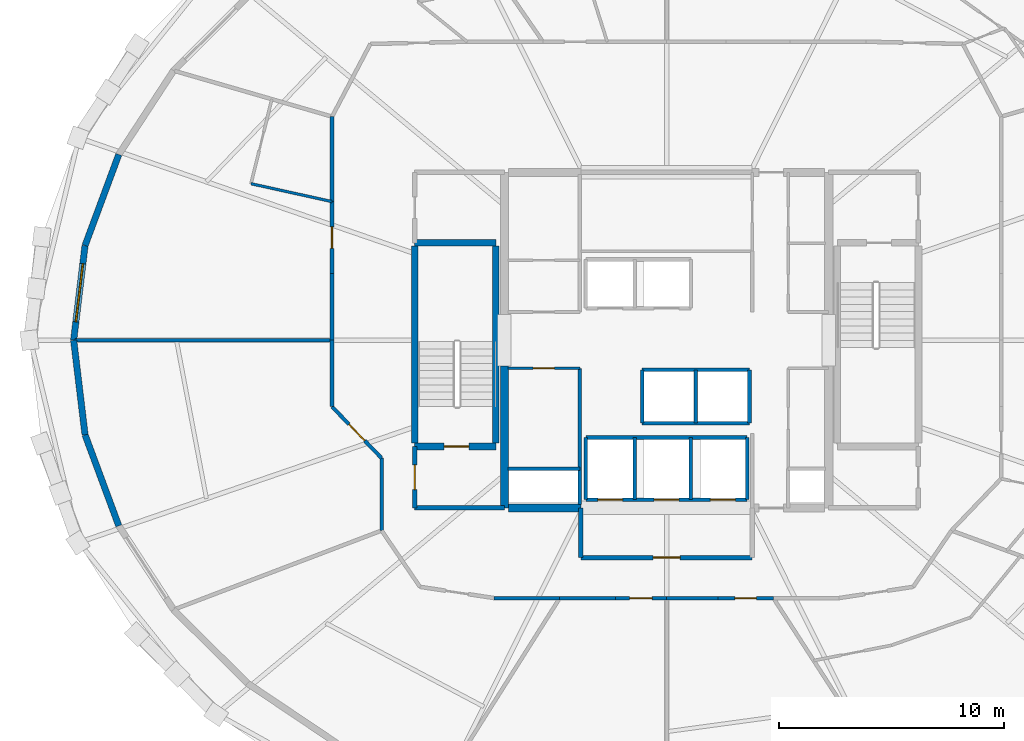
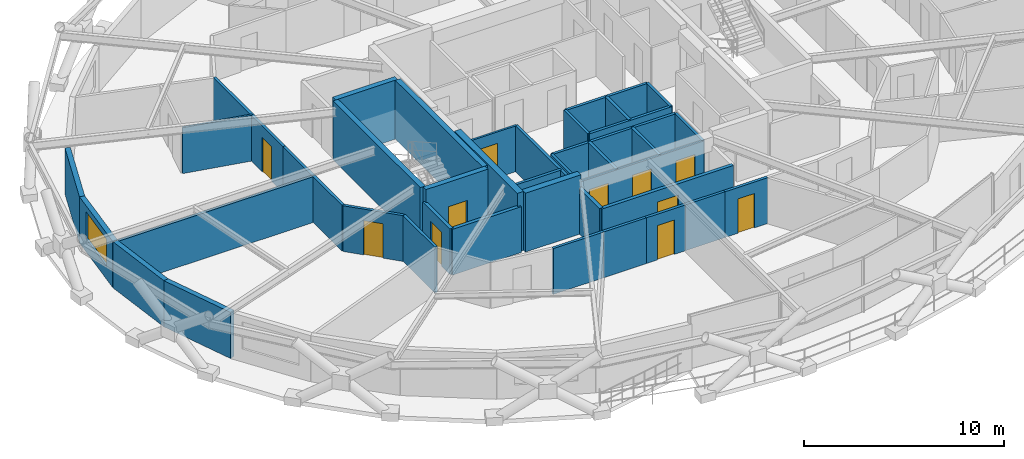
# One storey, part 15 of 20: 41 walls, 11 doors, 1 window, 12 openings.
"""IFC4 building model written with IfcOpenShell, lengths in metres."""

from ifc_helpers import new_model, si_unit, direction, frame, frame_2d, origin, place, context, subcontext, project, spatial, rectangle, extrude, material, layer, layer_set, type_object, element, fill, save


model = new_model("IFC4")

# Units and contexts
model_context = context("Model", 3, precision=1e-05, world=origin(), true_north=direction((0.0, 1.0)))
body_context = subcontext(model_context, "Body", "Model", "MODEL_VIEW")
ifc_project = project(units=[si_unit("LENGTHUNIT", "METRE"), si_unit("AREAUNIT", "SQUARE_METRE"), si_unit("VOLUMEUNIT", "CUBIC_METRE"), si_unit("PLANEANGLEUNIT", "RADIAN"), si_unit("MASSUNIT", "GRAM", prefix="KILO")], contexts=[model_context])

# Site, building, storey
site_placement = place(None, origin())
site = spatial("IfcSite", under=ifc_project, at=site_placement, CompositionType="ELEMENT")
building_placement = place(site_placement, origin())
building = spatial("IfcBuilding", under=site, at=building_placement, Name="Veldorina Hangang Commons", CompositionType="ELEMENT")
storey_placement = place(building_placement, frame((0.0, 0.0, 153.199951171875)))
storey = spatial("IfcBuildingStorey", under=building, at=storey_placement, Name="L39", CompositionType="ELEMENT", Elevation=153.199951171875)

# Walls
ifc_material_1 = material(Name="Concrete C60/75", Category="concrete")
ifc_layer_1 = layer(ifc_material_1, 0.360107421875)
ifc_layer_set_1 = layer_set([ifc_layer_1], Name="Concrete C60/75")
wall_type_1 = type_object("IfcWallType", Name="CW-RC360-C60", PredefinedType="SHEAR", material=ifc_layer_set_1)
wall_1_placement = place(storey_placement, frame((24.800048828125, 16.550048828125, 0.0), z_axis=(0.0, 0.0, 1.0), x_axis=(0.0, 1.0, 0.0)))
element("IfcWall", 1, at=wall_1_placement, inside=storey, type_object=wall_type_1, Name="L39 W south core shear wall", PredefinedType="SHEAR", context=body_context, shape_type="SweptSolid", body=[
    extrude(rectangle(XDim=6.300048828125, YDim=0.360107421875, at=frame_2d((3.14990234375, 0.0))), origin(), (0.0, 0.0, 1.0), 3.60009765625),
])
wall_2_placement = place(storey_placement, frame((24.97998046875, 16.550048828125, 0.0), z_axis=(0.0, 0.0, 1.0), x_axis=(1.0, 0.0, 0.0)))
element("IfcWall", 2, at=wall_2_placement, inside=storey, type_object=wall_type_1, Name="L39 south-west core shear wall", PredefinedType="SHEAR", context=body_context, shape_type="SweptSolid", body=[
    extrude(rectangle(XDim=3.219970703125, YDim=0.360107421875, at=frame_2d((1.60986328125, 0.0))), origin(), (0.0, 0.0, 1.0), 3.60009765625),
])
ifc_material_2 = material(Name="Stone Roman Travertine", Category="masonry")
ifc_layer_2 = layer(ifc_material_2, 0.280029296875)
ifc_layer_set_2 = layer_set([ifc_layer_2], Name="Stone Roman Travertine")
wall_type_2 = type_object("IfcWallType", Name="EW-TRAV-280", PredefinedType="STANDARD", material=ifc_layer_set_2)
wall_3_placement = place(storey_placement, frame((7.682861328125, 32.24169921875, 0.0), z_axis=(0.0, 0.0, 1.0), x_axis=(-0.347600366377, -0.937642781284, 0.0)))
element("IfcWall", 3, at=wall_3_placement, inside=storey, type_object=wall_type_2, Name="L39 travertine facade wall 14", PredefinedType="STANDARD", context=body_context, shape_type="SweptSolid", body=[
    extrude(rectangle(XDim=4.30908203125, YDim=0.280029296875, at=frame_2d((2.154541015625, 0.0))), origin(), (0.0, 0.0, 1.0), 2.820068359375),
])

# Wall, opening, window
wall_4_placement = place(storey_placement, frame((6.18505859375, 28.201416015625, 0.0), z_axis=(0.0, 0.0, 1.0), x_axis=(-0.119481907098, -0.992836378199, 0.0)))
wall_4 = element("IfcWall", 4, at=wall_4_placement, inside=storey, type_object=wall_type_2, Name="L39 travertine facade wall 15", PredefinedType="STANDARD", context=body_context, shape_type="SweptSolid", body=[
    extrude(rectangle(XDim=4.231689453125, YDim=0.280029296875, at=frame_2d((2.11572265625, 0.0))), origin(), (0.0, 0.0, 1.0), 2.820068359375),
])
opening_1_placement = place(wall_4_placement, frame((0.81591796875, 0.0, 0.800048828125)))
opening_1 = element("IfcOpeningElement", 5, at=opening_1_placement, cuts=wall_4, Name="Opening W-02", PredefinedType="OPENING", context=body_context, shape_type="SweptSolid", body=[
    extrude(rectangle(XDim=2.60009765625, YDim=1.64990234375, at=frame_2d((1.300048828125, 0.824951171875))), frame((0.0, 0.14990234375, 0.0), z_axis=(0.0, -1.0, 0.0), x_axis=(1.0, 0.0, 0.0)), (0.0, 0.0, 1.0), 0.300048828125),
])
ifc_material_3 = material(Name="Glass Low-E Triple IGU", Category="glass")
window_type = type_object("IfcWindowType", Name="WIN-TWR-2600", PartitioningType="SINGLE_PANEL", PredefinedType="WINDOW", material=ifc_material_3)
window_placement = place(opening_1_placement, origin())
window = element("IfcWindow", 6, at=window_placement, inside=storey, type_object=window_type, Name="L39 facade window 15", OverallHeight=1.64990234375, OverallWidth=2.60009765625, PartitioningType="SINGLE_PANEL", PredefinedType="WINDOW", context=body_context, shape_type="SweptSolid", body=[
    extrude(rectangle(XDim=2.60009765625, YDim=1.64990234375, at=frame_2d((1.300048828125, 0.824951171875))), frame((0.0, 0.030029296875, 0.0), z_axis=(0.0, -1.0, 0.0), x_axis=(1.0, 0.0, 0.0)), (0.0, 0.0, 1.0), 0.06005859375),
])
fill(opening_1, window)

# Walls
wall_5_placement = place(storey_placement, frame((5.679443359375, 24.0, 0.0), z_axis=(0.0, 0.0, 1.0), x_axis=(0.119481907098, -0.992836378199, 0.0)))
element("IfcWall", 7, at=wall_5_placement, inside=storey, type_object=wall_type_2, Name="L39 travertine facade wall 16", PredefinedType="STANDARD", context=body_context, shape_type="SweptSolid", body=[
    extrude(rectangle(XDim=4.231689453125, YDim=0.280029296875, at=frame_2d((2.11572265625, 0.0))), origin(), (0.0, 0.0, 1.0), 2.820068359375),
])
wall_6_placement = place(storey_placement, frame((6.18505859375, 19.798583984375, 0.0), z_axis=(0.0, 0.0, 1.0), x_axis=(0.347600366377, -0.937642781284, 0.0)))
element("IfcWall", 8, at=wall_6_placement, inside=storey, type_object=wall_type_2, Name="L39 travertine facade wall 17", PredefinedType="STANDARD", context=body_context, shape_type="SweptSolid", body=[
    extrude(rectangle(XDim=4.30908203125, YDim=0.280029296875, at=frame_2d((2.154541015625, 0.0))), origin(), (0.0, 0.0, 1.0), 2.820068359375),
])
ifc_material_4 = material(Name="Concrete C50/60", Category="concrete")
ifc_layer_3 = layer(ifc_material_4, 0.300048828125)
ifc_layer_set_3 = layer_set([ifc_layer_3], Name="Concrete C50/60")
wall_type_3 = type_object("IfcWallType", Name="SW-STAIR-300", PredefinedType="SHEAR", material=ifc_layer_set_3)
for number, where, z_axis, x_axis, name in (
    (9, (20.820068359375, 19.429931640625, 0.0), (0.0, 0.0, 1.0), (0.0, 1.0, 0.0), "L39 ST1 outer stair shear wall"),
    (10, (24.419921875, 19.429931640625, 0.0), (0.0, 0.0, 1.0), (0.0, 1.0, 0.0), "L39 ST1 inner stair shear wall"),
):
    element("IfcWall", number, at=place(storey_placement, frame(where, z_axis=z_axis, x_axis=x_axis)), inside=storey, type_object=wall_type_3, Name=name, PredefinedType="SHEAR", context=body_context, shape_type="SweptSolid", body=[
        extrude(rectangle(XDim=8.739990234375, YDim=0.300048828125, at=frame_2d((4.3701171875, 0.0))), origin(), (0.0, 0.0, 1.0), 3.60009765625),
    ])

# Wall, opening, door
wall_7_placement = place(storey_placement, frame((20.820068359375, 19.280029296875, 0.0), z_axis=(0.0, 0.0, 1.0), x_axis=(1.0, 0.0, 0.0)))
wall_7 = element("IfcWall", 11, at=wall_7_placement, inside=storey, type_object=wall_type_3, Name="L39 ST1 south stair shear wall", PredefinedType="SHEAR", context=body_context, shape_type="SweptSolid", body=[
    extrude(rectangle(XDim=3.599853515625, YDim=0.300048828125, at=frame_2d((1.7998046875, 0.0))), origin(), (0.0, 0.0, 1.0), 3.60009765625),
])
opening_2_placement = place(wall_7_placement, frame((1.300048828125, 0.0, 0.0)))
opening_2 = element("IfcOpeningElement", 12, at=opening_2_placement, cuts=wall_7, Name="Opening D-08", PredefinedType="OPENING", context=body_context, shape_type="SweptSolid", body=[
    extrude(rectangle(XDim=1.10009765625, YDim=2.10009765625, at=frame_2d((0.550048828125, 1.050048828125))), frame((0.0, 0.16015625, 0.0), z_axis=(0.0, -1.0, 0.0), x_axis=(1.0, 0.0, 0.0)), (0.0, 0.0, 1.0), 0.320068359375),
])
ifc_material_5 = material(Name="Steel Fire-Rated Smoke Seal", Category="steel")
door_type_1 = type_object("IfcDoorType", Name="DR-FIRE-1100", OperationType="SINGLE_SWING_RIGHT", PredefinedType="DOOR", material=ifc_material_5)
door_1_placement = place(opening_2_placement, origin())
door_1 = element("IfcDoor", 13, at=door_1_placement, inside=storey, type_object=door_type_1, Name="L39 Special Escape Stair ST-1 door", OperationType="SINGLE_SWING_LEFT", OverallHeight=2.10009765625, OverallWidth=1.10009765625, PredefinedType="DOOR", context=body_context, shape_type="SweptSolid", body=[
    extrude(rectangle(XDim=1.10009765625, YDim=2.10009765625, at=frame_2d((0.550048828125, 1.050048828125))), frame((0.0, 0.02490234375, 0.0), z_axis=(0.0, -1.0, 0.0), x_axis=(1.0, 0.0, 0.0)), (0.0, 0.0, 1.0), 0.050048828125),
])
fill(opening_2, door_1)

# Walls
wall_8_placement = place(storey_placement, frame((20.820068359375, 28.320068359375, 0.0), z_axis=(0.0, 0.0, 1.0), x_axis=(1.0, 0.0, 0.0)))
element("IfcWall", 14, at=wall_8_placement, inside=storey, type_object=wall_type_3, Name="L39 ST1 north stair shear wall", PredefinedType="SHEAR", context=body_context, shape_type="SweptSolid", body=[
    extrude(rectangle(XDim=3.599853515625, YDim=0.300048828125, at=frame_2d((1.7998046875, 0.0))), origin(), (0.0, 0.0, 1.0), 3.60009765625),
])
ifc_material_6 = material(Name="Gypsum Fire-Rated Twin Stud Wall", Category="gypsum")
ifc_layer_4 = layer(ifc_material_6, 0.159912109375)
ifc_layer_set_4 = layer_set([ifc_layer_4], Name="Gypsum Fire-Rated Twin Stud Wall")
wall_type_4 = type_object("IfcWallType", Name="WL-FIRE-160", PredefinedType="SOLIDWALL", material=ifc_layer_set_4)
for number, where, z_axis, x_axis, name in (
    (15, (30.919921875, 22.679931640625, 0.0), (0.0, 0.0, 1.0), (1.0, 0.0, 0.0), "L39 Shuttle-high front shaft wall 020"),
    (16, (30.919921875, 20.320068359375, 0.0), (0.0, 0.0, 1.0), (1.0, 0.0, 0.0), "L39 Shuttle-high rear shaft wall 021"),
):
    element("IfcWall", number, at=place(storey_placement, frame(where, z_axis=z_axis, x_axis=x_axis)), inside=storey, type_object=wall_type_4, Name=name, PredefinedType="SOLIDWALL", context=body_context, shape_type="SweptSolid", body=[
        extrude(rectangle(XDim=4.760009765625, YDim=0.159912109375, at=frame_2d((2.3798828125, 0.0))), origin(), (0.0, 0.0, 1.0), 2.800048828125),
    ])
for number, where, z_axis, x_axis, name in (
    (17, (30.919921875, 20.320068359375, 0.0), (0.0, 0.0, 1.0), (0.0, 1.0, 0.0), "L39 SL-1 west shaft wall 022"),
    (18, (33.300048828125, 20.320068359375, 0.0), (0.0, 0.0, 1.0), (0.0, 1.0, 0.0), "L39 SL-1 east shaft wall 023"),
    (19, (35.679931640625, 20.320068359375, 0.0), (0.0, 0.0, 1.0), (0.0, 1.0, 0.0), "L39 SL-2 east shaft wall 024"),
):
    element("IfcWall", number, at=place(storey_placement, frame(where, z_axis=z_axis, x_axis=x_axis)), inside=storey, type_object=wall_type_4, Name=name, PredefinedType="SOLIDWALL", context=body_context, shape_type="SweptSolid", body=[
        extrude(rectangle(XDim=2.35986328125, YDim=0.159912109375, at=frame_2d((1.179931640625, 0.0))), origin(), (0.0, 0.0, 1.0), 2.800048828125),
    ])

# Wall, openings, doors
wall_9_placement = place(storey_placement, frame((28.419921875, 16.919921875, 0.0), z_axis=(0.0, 0.0, 1.0), x_axis=(1.0, 0.0, 0.0)))
wall_9 = element("IfcWall", 20, at=wall_9_placement, inside=storey, type_object=wall_type_4, Name="L39 Emergency front shaft wall 025", PredefinedType="SOLIDWALL", context=body_context, shape_type="SweptSolid", body=[
    extrude(rectangle(XDim=7.16015625, YDim=0.159912109375, at=frame_2d((3.580078125, 0.0))), origin(), (0.0, 0.0, 1.0), 2.800048828125),
])
opening_3_placement = place(wall_9_placement, frame((0.530029296875, 0.0, 0.0)))
opening_3 = element("IfcOpeningElement", 21, at=opening_3_placement, cuts=wall_9, Name="Opening LD-03", PredefinedType="OPENING", context=body_context, shape_type="SweptSolid", body=[
    extrude(rectangle(XDim=1.10009765625, YDim=2.14990234375, at=frame_2d((0.550048828125, 1.074951171875))), frame((0.0, 0.08984375, 0.0), z_axis=(0.0, -1.0, 0.0), x_axis=(1.0, 0.0, 0.0)), (0.0, 0.0, 1.0), 0.179931640625),
])
opening_4_placement = place(wall_9_placement, frame((3.030029296875, 0.0, 0.0)))
opening_4 = element("IfcOpeningElement", 22, at=opening_4_placement, cuts=wall_9, Name="Opening LD-03", PredefinedType="OPENING", context=body_context, shape_type="SweptSolid", body=[
    extrude(rectangle(XDim=1.10009765625, YDim=2.14990234375, at=frame_2d((0.550048828125, 1.074951171875))), frame((0.0, 0.08984375, 0.0), z_axis=(0.0, -1.0, 0.0), x_axis=(1.0, 0.0, 0.0)), (0.0, 0.0, 1.0), 0.179931640625),
])
opening_5_placement = place(wall_9_placement, frame((5.530029296875, 0.0, 0.0)))
opening_5 = element("IfcOpeningElement", 23, at=opening_5_placement, cuts=wall_9, Name="Opening LD-03", PredefinedType="OPENING", context=body_context, shape_type="SweptSolid", body=[
    extrude(rectangle(XDim=1.10009765625, YDim=2.14990234375, at=frame_2d((0.550048828125, 1.074951171875))), frame((0.0, 0.08984375, 0.0), z_axis=(0.0, -1.0, 0.0), x_axis=(1.0, 0.0, 0.0)), (0.0, 0.0, 1.0), 0.179931640625),
])
ifc_material_7 = material(Name="Stainless Steel Firefighting Lift Door", Category="steel")
door_type_2 = type_object("IfcDoorType", Name="DR-LIFT-FF1100", OperationType="SLIDING_TO_RIGHT", PredefinedType="DOOR", material=ifc_material_7)
door_2_placement = place(opening_3_placement, origin())
door_2 = element("IfcDoor", 24, at=door_2_placement, inside=storey, type_object=door_type_2, Name="L39 Emergency lift FFL-1 landing door 008", OperationType="SLIDING_TO_RIGHT", OverallHeight=2.14990234375, OverallWidth=1.10009765625, PredefinedType="DOOR", context=body_context, shape_type="SweptSolid", body=[
    extrude(rectangle(XDim=1.10009765625, YDim=2.14990234375, at=frame_2d((0.550048828125, 1.074951171875))), frame((0.0, 0.02490234375, 0.0), z_axis=(0.0, -1.0, 0.0), x_axis=(1.0, 0.0, 0.0)), (0.0, 0.0, 1.0), 0.050048828125),
])
fill(opening_3, door_2)
door_3_placement = place(opening_4_placement, origin())
door_3 = element("IfcDoor", 25, at=door_3_placement, inside=storey, type_object=door_type_2, Name="L39 Emergency lift FFL-2 landing door 009", OperationType="SLIDING_TO_RIGHT", OverallHeight=2.14990234375, OverallWidth=1.10009765625, PredefinedType="DOOR", context=body_context, shape_type="SweptSolid", body=[
    extrude(rectangle(XDim=1.10009765625, YDim=2.14990234375, at=frame_2d((0.550048828125, 1.074951171875))), frame((0.0, 0.02490234375, 0.0), z_axis=(0.0, -1.0, 0.0), x_axis=(1.0, 0.0, 0.0)), (0.0, 0.0, 1.0), 0.050048828125),
])
fill(opening_4, door_3)
door_4_placement = place(opening_5_placement, origin())
door_4 = element("IfcDoor", 26, at=door_4_placement, inside=storey, type_object=door_type_2, Name="L39 Emergency lift EVL-1 landing door 010", OperationType="SLIDING_TO_RIGHT", OverallHeight=2.14990234375, OverallWidth=1.10009765625, PredefinedType="DOOR", context=body_context, shape_type="SweptSolid", body=[
    extrude(rectangle(XDim=1.10009765625, YDim=2.14990234375, at=frame_2d((0.550048828125, 1.074951171875))), frame((0.0, 0.02490234375, 0.0), z_axis=(0.0, -1.0, 0.0), x_axis=(1.0, 0.0, 0.0)), (0.0, 0.0, 1.0), 0.050048828125),
])
fill(opening_5, door_4)

# Walls
wall_10_placement = place(storey_placement, frame((28.419921875, 19.679931640625, 0.0), z_axis=(0.0, 0.0, 1.0), x_axis=(1.0, 0.0, 0.0)))
element("IfcWall", 27, at=wall_10_placement, inside=storey, type_object=wall_type_4, Name="L39 Emergency rear shaft wall 026", PredefinedType="SOLIDWALL", context=body_context, shape_type="SweptSolid", body=[
    extrude(rectangle(XDim=7.16015625, YDim=0.159912109375, at=frame_2d((3.580078125, 0.0))), origin(), (0.0, 0.0, 1.0), 2.800048828125),
])
for number, where, z_axis, x_axis, name in (
    (28, (28.419921875, 16.919921875, 0.0), (0.0, 0.0, 1.0), (0.0, 1.0, 0.0), "L39 FFL-1 west shaft wall 027"),
    (29, (30.580078125, 16.919921875, 0.0), (0.0, 0.0, 1.0), (0.0, 1.0, 0.0), "L39 FFL-1 east shaft wall 028"),
    (30, (33.080078125, 16.919921875, 0.0), (0.0, 0.0, 1.0), (0.0, 1.0, 0.0), "L39 FFL-2 east shaft wall 029"),
    (31, (35.580078125, 16.919921875, 0.0), (0.0, 0.0, 1.0), (0.0, 1.0, 0.0), "L39 EVL-1 east shaft wall 030"),
):
    element("IfcWall", number, at=place(storey_placement, frame(where, z_axis=z_axis, x_axis=x_axis)), inside=storey, type_object=wall_type_4, Name=name, PredefinedType="SOLIDWALL", context=body_context, shape_type="SweptSolid", body=[
        extrude(rectangle(XDim=2.760009765625, YDim=0.159912109375, at=frame_2d((1.3798828125, 0.0))), origin(), (0.0, 0.0, 1.0), 2.800048828125),
    ])
wall_11_placement = place(storey_placement, frame((24.949951171875, 18.300048828125, 0.0), z_axis=(0.0, 0.0, 1.0), x_axis=(1.0, 0.0, 0.0)))
element("IfcWall", 32, at=wall_11_placement, inside=storey, type_object=wall_type_4, Name="L39 Electrical riser wall 034", PredefinedType="SOLIDWALL", context=body_context, shape_type="SweptSolid", body=[
    extrude(rectangle(XDim=3.199951171875, YDim=0.159912109375, at=frame_2d((1.60009765625, 0.0))), origin(), (0.0, 0.0, 1.0), 2.800048828125),
])
wall_12_placement = place(storey_placement, frame((28.14990234375, 16.699951171875, 0.0), z_axis=(0.0, 0.0, 1.0), x_axis=(0.0, 1.0, 0.0)))
element("IfcWall", 33, at=wall_12_placement, inside=storey, type_object=wall_type_4, Name="L39 SW core inner wall 035", PredefinedType="SOLIDWALL", context=body_context, shape_type="SweptSolid", body=[
    extrude(rectangle(XDim=6.050048828125, YDim=0.159912109375, at=frame_2d((3.02490234375, 0.0))), origin(), (0.0, 0.0, 1.0), 2.800048828125),
])
wall_13_placement = place(storey_placement, frame((17.14990234375, 33.922607421875, 0.0), z_axis=(0.0, 0.0, 1.0), x_axis=(0.0, -1.0, 0.0)))
element("IfcWall", 34, at=wall_13_placement, inside=storey, type_object=wall_type_4, Name="L39 U-corridor outer wall 13 059", PredefinedType="SOLIDWALL", context=body_context, shape_type="SweptSolid", body=[
    extrude(rectangle(XDim=3.771484375, YDim=0.159912109375, at=frame_2d((1.8857421875, 0.0))), origin(), (0.0, 0.0, 1.0), 2.800048828125),
])

# Wall, opening, door
wall_14_placement = place(storey_placement, frame((17.14990234375, 30.151123046875, 0.0), z_axis=(0.0, 0.0, 1.0), x_axis=(0.0, -1.0, 0.0)))
wall_14 = element("IfcWall", 35, at=wall_14_placement, inside=storey, type_object=wall_type_4, Name="L39 U-corridor outer wall 14 060", PredefinedType="SOLIDWALL", context=body_context, shape_type="SweptSolid", body=[
    extrude(rectangle(XDim=3.197265625, YDim=0.159912109375, at=frame_2d((1.5986328125, 0.0))), origin(), (0.0, 0.0, 1.0), 2.800048828125),
])
opening_6_placement = place(wall_14_placement, frame((1.123779296875, 0.0, 0.0)))
opening_6 = element("IfcOpeningElement", 36, at=opening_6_placement, cuts=wall_14, Name="Opening D-03", PredefinedType="OPENING", context=body_context, shape_type="SweptSolid", body=[
    extrude(rectangle(XDim=0.949951171875, YDim=2.10009765625, at=frame_2d((0.47509765625, 1.050048828125))), frame((0.0, 0.08984375, 0.0), z_axis=(0.0, -1.0, 0.0), x_axis=(1.0, 0.0, 0.0)), (0.0, 0.0, 1.0), 0.179931640625),
])
ifc_material_8 = material(Name="Timber Fire-Rated Entrance Core", Category="wood")
door_type_3 = type_object("IfcDoorType", Name="DR-UNIT-950", OperationType="SINGLE_SWING_RIGHT", PredefinedType="DOOR", material=ifc_material_8)
door_5_placement = place(opening_6_placement, origin())
door_5 = element("IfcDoor", 37, at=door_5_placement, inside=storey, type_object=door_type_3, Name="L39 Studio 6 entrance door 038", OperationType="SINGLE_SWING_RIGHT", OverallHeight=2.10009765625, OverallWidth=0.949951171875, PredefinedType="DOOR", context=body_context, shape_type="SweptSolid", body=[
    extrude(rectangle(XDim=0.949951171875, YDim=2.10009765625, at=frame_2d((0.47509765625, 1.050048828125))), frame((0.0, 0.02490234375, 0.0), z_axis=(0.0, -1.0, 0.0), x_axis=(1.0, 0.0, 0.0)), (0.0, 0.0, 1.0), 0.050048828125),
])
fill(opening_6, door_5)

# Walls
for number, where, z_axis, x_axis, name in (
    (38, (17.14990234375, 26.953857421875, 0.0), (0.0, 0.0, 1.0), (0.0, -1.0, 0.0), "L39 U-corridor outer wall 15 061"),
    (39, (17.14990234375, 24.0, 0.0), (0.0, 0.0, 1.0), (0.0, -1.0, 0.0), "L39 U-corridor outer wall 16 062"),
):
    element("IfcWall", number, at=place(storey_placement, frame(where, z_axis=z_axis, x_axis=x_axis)), inside=storey, type_object=wall_type_4, Name=name, PredefinedType="SOLIDWALL", context=body_context, shape_type="SweptSolid", body=[
        extrude(rectangle(XDim=2.953857421875, YDim=0.159912109375, at=frame_2d((1.47705078125, 0.0))), origin(), (0.0, 0.0, 1.0), 2.800048828125),
    ])

# Wall, opening, door
wall_15_placement = place(storey_placement, frame((17.14990234375, 21.046142578125, 0.0), z_axis=(0.0, 0.0, 1.0), x_axis=(0.693473090138, -0.72048252807, 0.0)))
wall_15 = element("IfcWall", 40, at=wall_15_placement, inside=storey, type_object=wall_type_4, Name="L39 U-corridor outer wall 17 063", PredefinedType="SOLIDWALL", context=body_context, shape_type="SweptSolid", body=[
    extrude(rectangle(XDim=3.172607421875, YDim=0.159912109375, at=frame_2d((1.58642578125, 0.0))), origin(), (0.0, 0.0, 1.0), 2.800048828125),
])
opening_7_placement = place(wall_15_placement, frame((1.086181640625, 0.0, 0.0)))
opening_7 = element("IfcOpeningElement", 41, at=opening_7_placement, cuts=wall_15, Name="Opening D-05", PredefinedType="OPENING", context=body_context, shape_type="SweptSolid", body=[
    extrude(rectangle(XDim=1.0, YDim=2.10009765625, at=frame_2d((0.5, 1.050048828125))), frame((0.0, 0.08984375, 0.0), z_axis=(0.0, -1.0, 0.0), x_axis=(1.0, 0.0, 0.0)), (0.0, 0.0, 1.0), 0.179931640625),
])
ifc_material_9 = material(Name="Timber Solid Core Acoustic", Category="wood")
door_type_4 = type_object("IfcDoorType", Name="DR-INT-1000", OperationType="SINGLE_SWING_RIGHT", PredefinedType="DOOR", material=ifc_material_9)
door_6_placement = place(opening_7_placement, origin())
door_6 = element("IfcDoor", 42, at=door_6_placement, inside=storey, type_object=door_type_4, Name="L39 Floor Study Room 7 door 039", OperationType="SINGLE_SWING_LEFT", OverallHeight=2.10009765625, OverallWidth=1.0, PredefinedType="DOOR", context=body_context, shape_type="SweptSolid", body=[
    extrude(rectangle(XDim=1.0, YDim=2.10009765625, at=frame_2d((0.5, 1.050048828125))), frame((0.0, 0.02490234375, 0.0), z_axis=(0.0, -1.0, 0.0), x_axis=(1.0, 0.0, 0.0)), (0.0, 0.0, 1.0), 0.050048828125),
])
fill(opening_7, door_6)

# Walls
wall_16_placement = place(storey_placement, frame((19.35009765625, 18.76025390625, 0.0), z_axis=(0.0, 0.0, 1.0), x_axis=(0.0, -1.0, 0.0)))
element("IfcWall", 43, at=wall_16_placement, inside=storey, type_object=wall_type_4, Name="L39 U-corridor outer wall 18 064", PredefinedType="SOLIDWALL", context=body_context, shape_type="SweptSolid", body=[
    extrude(rectangle(XDim=3.212646484375, YDim=0.159912109375, at=frame_2d((1.6064453125, 0.0))), origin(), (0.0, 0.0, 1.0), 2.800048828125),
])
wall_17_placement = place(storey_placement, frame((24.349365234375, 12.550048828125, 0.0), z_axis=(0.0, 0.0, 1.0), x_axis=(1.0, 0.0, 0.0)))
element("IfcWall", 44, at=wall_17_placement, inside=storey, type_object=wall_type_4, Name="L39 U-corridor outer wall 21 067", PredefinedType="SOLIDWALL", context=body_context, shape_type="SweptSolid", body=[
    extrude(rectangle(XDim=2.907958984375, YDim=0.159912109375, at=frame_2d((1.4541015625, 0.0))), origin(), (0.0, 0.0, 1.0), 2.800048828125),
])
wall_18_placement = place(storey_placement, frame((27.25732421875, 12.550048828125, 0.0), z_axis=(0.0, 0.0, 1.0), x_axis=(1.0, 0.0, 0.0)))
element("IfcWall", 45, at=wall_18_placement, inside=storey, type_object=wall_type_4, Name="L39 U-corridor outer wall 22 068", PredefinedType="SOLIDWALL", context=body_context, shape_type="SweptSolid", body=[
    extrude(rectangle(XDim=2.465087890625, YDim=0.159912109375, at=frame_2d((1.232421875, 0.0))), origin(), (0.0, 0.0, 1.0), 2.800048828125),
])

# Wall, opening, door
wall_19_placement = place(storey_placement, frame((29.722412109375, 12.550048828125, 0.0), z_axis=(0.0, 0.0, 1.0), x_axis=(1.0, 0.0, 0.0)))
wall_19 = element("IfcWall", 46, at=wall_19_placement, inside=storey, type_object=wall_type_4, Name="L39 U-corridor outer wall 23 069", PredefinedType="SOLIDWALL", context=body_context, shape_type="SweptSolid", body=[
    extrude(rectangle(XDim=2.277587890625, YDim=0.159912109375, at=frame_2d((1.138671875, 0.0))), origin(), (0.0, 0.0, 1.0), 2.800048828125),
])
opening_8_placement = place(wall_19_placement, frame((0.638671875, 0.0, 0.0)))
opening_8 = element("IfcOpeningElement", 47, at=opening_8_placement, cuts=wall_19, Name="Opening D-05", PredefinedType="OPENING", context=body_context, shape_type="SweptSolid", body=[
    extrude(rectangle(XDim=1.0, YDim=2.10009765625, at=frame_2d((0.5, 1.050048828125))), frame((0.0, 0.08984375, 0.0), z_axis=(0.0, -1.0, 0.0), x_axis=(1.0, 0.0, 0.0)), (0.0, 0.0, 1.0), 0.179931640625),
])
door_7_placement = place(opening_8_placement, origin())
door_7 = element("IfcDoor", 48, at=door_7_placement, inside=storey, type_object=door_type_4, Name="L39 Seminar Focus Room 9 door 041", OperationType="SINGLE_SWING_LEFT", OverallHeight=2.10009765625, OverallWidth=1.0, PredefinedType="DOOR", context=body_context, shape_type="SweptSolid", body=[
    extrude(rectangle(XDim=1.0, YDim=2.10009765625, at=frame_2d((0.5, 1.050048828125))), frame((0.0, 0.02490234375, 0.0), z_axis=(0.0, -1.0, 0.0), x_axis=(1.0, 0.0, 0.0)), (0.0, 0.0, 1.0), 0.050048828125),
])
fill(opening_8, door_7)

# Wall
wall_20_placement = place(storey_placement, frame((32.0, 12.550048828125, 0.0), z_axis=(0.0, 0.0, 1.0), x_axis=(1.0, 0.0, 0.0)))
element("IfcWall", 49, at=wall_20_placement, inside=storey, type_object=wall_type_4, Name="L39 U-corridor outer wall 24 070", PredefinedType="SOLIDWALL", context=body_context, shape_type="SweptSolid", body=[
    extrude(rectangle(XDim=2.277587890625, YDim=0.159912109375, at=frame_2d((1.138671875, 0.0))), origin(), (0.0, 0.0, 1.0), 2.800048828125),
])

# Wall, opening, door
wall_21_placement = place(storey_placement, frame((34.277587890625, 12.550048828125, 0.0), z_axis=(0.0, 0.0, 1.0), x_axis=(1.0, 0.0, 0.0)))
wall_21 = element("IfcWall", 50, at=wall_21_placement, inside=storey, type_object=wall_type_4, Name="L39 U-corridor outer wall 25 071", PredefinedType="SOLIDWALL", context=body_context, shape_type="SweptSolid", body=[
    extrude(rectangle(XDim=2.465087890625, YDim=0.159912109375, at=frame_2d((1.232421875, 0.0))), origin(), (0.0, 0.0, 1.0), 2.800048828125),
])
opening_9_placement = place(wall_21_placement, frame((0.757568359375, 0.0, 0.0)))
opening_9 = element("IfcOpeningElement", 51, at=opening_9_placement, cuts=wall_21, Name="Opening D-02", PredefinedType="OPENING", context=body_context, shape_type="SweptSolid", body=[
    extrude(rectangle(XDim=0.949951171875, YDim=2.10009765625, at=frame_2d((0.47509765625, 1.050048828125))), frame((0.0, 0.08984375, 0.0), z_axis=(0.0, -1.0, 0.0), x_axis=(1.0, 0.0, 0.0)), (0.0, 0.0, 1.0), 0.179931640625),
])
door_type_5 = type_object("IfcDoorType", Name="DR-INT-950", OperationType="SINGLE_SWING_LEFT", PredefinedType="DOOR", material=ifc_material_9)
door_8_placement = place(opening_9_placement, origin())
door_8 = element("IfcDoor", 52, at=door_8_placement, inside=storey, type_object=door_type_5, Name="L39 Linen drying store door 042", OperationType="SINGLE_SWING_RIGHT", OverallHeight=2.10009765625, OverallWidth=0.949951171875, PredefinedType="DOOR", context=body_context, shape_type="SweptSolid", body=[
    extrude(rectangle(XDim=0.949951171875, YDim=2.10009765625, at=frame_2d((0.47509765625, 1.050048828125))), frame((0.0, 0.02490234375, 0.0), z_axis=(0.0, -1.0, 0.0), x_axis=(1.0, 0.0, 0.0)), (0.0, 0.0, 1.0), 0.050048828125),
])
fill(opening_9, door_8)

# Wall
wall_22_placement = place(storey_placement, frame((17.14990234375, 24.0, 0.0), z_axis=(0.0, 0.0, 1.0), x_axis=(-1.0, 0.0, 0.0)))
element("IfcWall", 53, at=wall_22_placement, inside=storey, type_object=wall_type_4, Name="L39 Unit party wall 16 113", PredefinedType="SOLIDWALL", context=body_context, shape_type="SweptSolid", body=[
    extrude(rectangle(XDim=11.42041015625, YDim=0.159912109375, at=frame_2d((5.710205078125, 0.0))), origin(), (0.0, 0.0, 1.0), 2.800048828125),
])

# Wall, opening, door
ifc_material_10 = material(Name="Concrete Blockwork Fire Wall C30/37", Category="masonry")
ifc_layer_5 = layer(ifc_material_10, 0.199951171875)
ifc_layer_set_5 = layer_set([ifc_layer_5], Name="Concrete Blockwork Fire Wall C30/37")
wall_type_5 = type_object("IfcWallType", Name="WL-FIRE-200", PredefinedType="SOLIDWALL", material=ifc_layer_set_5)
wall_23_placement = place(storey_placement, frame((20.820068359375, 16.550048828125, 0.0), z_axis=(0.0, 0.0, 1.0), x_axis=(0.0, 1.0, 0.0)))
wall_23 = element("IfcWall", 54, at=wall_23_placement, inside=storey, type_object=wall_type_5, Name="L39 West vestibule outer wall 001", PredefinedType="SOLIDWALL", context=body_context, shape_type="SweptSolid", body=[
    extrude(rectangle(XDim=2.72998046875, YDim=0.199951171875, at=frame_2d((1.364990234375, 0.0))), origin(), (0.0, 0.0, 1.0), 2.800048828125),
])
opening_10_placement = place(wall_23_placement, frame((0.81494140625, 0.0, 0.0)))
opening_10 = element("IfcOpeningElement", 55, at=opening_10_placement, cuts=wall_23, Name="Opening D-08", PredefinedType="OPENING", context=body_context, shape_type="SweptSolid", body=[
    extrude(rectangle(XDim=1.10009765625, YDim=2.10009765625, at=frame_2d((0.550048828125, 1.050048828125))), frame((0.0, 0.10986328125, 0.0), z_axis=(0.0, -1.0, 0.0), x_axis=(1.0, 0.0, 0.0)), (0.0, 0.0, 1.0), 0.219970703125),
])
door_9_placement = place(opening_10_placement, origin())
door_9 = element("IfcDoor", 56, at=door_9_placement, inside=storey, type_object=door_type_1, Name="L39 West vestibule west door 001", OperationType="SINGLE_SWING_LEFT", OverallHeight=2.10009765625, OverallWidth=1.10009765625, PredefinedType="DOOR", context=body_context, shape_type="SweptSolid", body=[
    extrude(rectangle(XDim=1.10009765625, YDim=2.10009765625, at=frame_2d((0.550048828125, 1.050048828125))), frame((0.0, 0.02490234375, 0.0), z_axis=(0.0, -1.0, 0.0), x_axis=(1.0, 0.0, 0.0)), (0.0, 0.0, 1.0), 0.050048828125),
])
fill(opening_10, door_9)

# Walls
wall_24_placement = place(storey_placement, frame((20.820068359375, 16.550048828125, 0.0), z_axis=(0.0, 0.0, 1.0), x_axis=(1.0, 0.0, 0.0)))
element("IfcWall", 57, at=wall_24_placement, inside=storey, type_object=wall_type_5, Name="L39 West vestibule south wall 002", PredefinedType="SOLIDWALL", context=body_context, shape_type="SweptSolid", body=[
    extrude(rectangle(XDim=3.97998046875, YDim=0.199951171875, at=frame_2d((1.989990234375, 0.0))), origin(), (0.0, 0.0, 1.0), 2.800048828125),
])
wall_25_placement = place(storey_placement, frame((28.199951171875, 14.35009765625, 0.0), z_axis=(0.0, 0.0, 1.0), x_axis=(0.0, 1.0, 0.0)))
element("IfcWall", 58, at=wall_25_placement, inside=storey, type_object=wall_type_5, Name="L39 FF lobby west wall 012", PredefinedType="SOLIDWALL", context=body_context, shape_type="SweptSolid", body=[
    extrude(rectangle(XDim=2.199951171875, YDim=0.199951171875, at=frame_2d((1.10009765625, 0.0))), origin(), (0.0, 0.0, 1.0), 2.800048828125),
])

# Wall, opening, door
wall_26_placement = place(storey_placement, frame((28.199951171875, 14.35009765625, 0.0), z_axis=(0.0, 0.0, 1.0), x_axis=(1.0, 0.0, 0.0)))
wall_26 = element("IfcWall", 59, at=wall_26_placement, inside=storey, type_object=wall_type_5, Name="L39 FF lobby south wall 014", PredefinedType="SOLIDWALL", context=body_context, shape_type="SweptSolid", body=[
    extrude(rectangle(XDim=7.60009765625, YDim=0.199951171875, at=frame_2d((3.800048828125, 0.0))), origin(), (0.0, 0.0, 1.0), 2.800048828125),
])
opening_11_placement = place(wall_26_placement, frame((3.199951171875, 0.0, 0.0)))
opening_11 = element("IfcOpeningElement", 60, at=opening_11_placement, cuts=wall_26, Name="Opening D-09", PredefinedType="OPENING", context=body_context, shape_type="SweptSolid", body=[
    extrude(rectangle(XDim=1.199951171875, YDim=2.10009765625, at=frame_2d((0.60009765625, 1.050048828125))), frame((0.0, 0.10986328125, 0.0), z_axis=(0.0, -1.0, 0.0), x_axis=(1.0, 0.0, 0.0)), (0.0, 0.0, 1.0), 0.219970703125),
])
ifc_material_11 = material(Name="Steel Fire-Rated Corridor Door", Category="steel")
door_type_6 = type_object("IfcDoorType", Name="DR-FIRE-1200", OperationType="SINGLE_SWING_LEFT", PredefinedType="DOOR", material=ifc_material_11)
door_10_placement = place(opening_11_placement, origin())
door_10 = element("IfcDoor", 61, at=door_10_placement, inside=storey, type_object=door_type_6, Name="L39 FF lobby south corridor door 005", OperationType="SINGLE_SWING_LEFT", OverallHeight=2.10009765625, OverallWidth=1.199951171875, PredefinedType="DOOR", context=body_context, shape_type="SweptSolid", body=[
    extrude(rectangle(XDim=1.199951171875, YDim=2.10009765625, at=frame_2d((0.60009765625, 1.050048828125))), frame((0.0, 0.02490234375, 0.0), z_axis=(0.0, -1.0, 0.0), x_axis=(1.0, 0.0, 0.0)), (0.0, 0.0, 1.0), 0.050048828125),
])
fill(opening_11, door_10)

ifc_material_12 = material(Name="Gypsum Acoustic Stud Partition", Category="gypsum")
ifc_layer_6 = layer(ifc_material_12, 0.1201171875)
ifc_layer_set_6 = layer_set([ifc_layer_6], Name="Gypsum Acoustic Stud Partition")
wall_type_6 = type_object("IfcWallType", Name="WL-PART-120", PredefinedType="PARTITIONING", material=ifc_layer_set_6)
wall_27_placement = place(storey_placement, frame((24.949951171875, 22.75, 0.0), z_axis=(0.0, 0.0, 1.0), x_axis=(1.0, 0.0, 0.0)))
wall_27 = element("IfcWall", 62, at=wall_27_placement, inside=storey, type_object=wall_type_6, Name="L39 SW service north wall 039", PredefinedType="PARTITIONING", context=body_context, shape_type="SweptSolid", body=[
    extrude(rectangle(XDim=3.199951171875, YDim=0.1201171875, at=frame_2d((1.60009765625, 0.0))), origin(), (0.0, 0.0, 1.0), 2.800048828125),
])
opening_12_placement = place(wall_27_placement, frame((1.125, 0.0, 0.0)))
opening_12 = element("IfcOpeningElement", 63, at=opening_12_placement, cuts=wall_27, Name="Opening D-02", PredefinedType="OPENING", context=body_context, shape_type="SweptSolid", body=[
    extrude(rectangle(XDim=0.949951171875, YDim=2.10009765625, at=frame_2d((0.47509765625, 1.050048828125))), frame((0.0, 0.070068359375, 0.0), z_axis=(0.0, -1.0, 0.0), x_axis=(1.0, 0.0, 0.0)), (0.0, 0.0, 1.0), 0.14013671875),
])
door_11_placement = place(opening_12_placement, origin())
door_11 = element("IfcDoor", 64, at=door_11_placement, inside=storey, type_object=door_type_5, Name="L39 Waste sorting door 014", OperationType="SINGLE_SWING_RIGHT", OverallHeight=2.10009765625, OverallWidth=0.949951171875, PredefinedType="DOOR", context=body_context, shape_type="SweptSolid", body=[
    extrude(rectangle(XDim=0.949951171875, YDim=2.10009765625, at=frame_2d((0.47509765625, 1.050048828125))), frame((0.0, 0.02490234375, 0.0), z_axis=(0.0, -1.0, 0.0), x_axis=(1.0, 0.0, 0.0)), (0.0, 0.0, 1.0), 0.050048828125),
])
fill(opening_12, door_11)

# Wall
wall_28_placement = place(storey_placement, frame((17.14990234375, 30.151123046875, 0.0), z_axis=(0.0, 0.0, 1.0), x_axis=(-0.976473112026, 0.215639192842, 0.0)))
element("IfcWall", 65, at=wall_28_placement, inside=storey, type_object=wall_type_6, Name="L39 Studio 6 bath side wall 112", PredefinedType="PARTITIONING", context=body_context, shape_type="SweptSolid", body=[
    extrude(rectangle(XDim=3.68408203125, YDim=0.1201171875, at=frame_2d((1.842041015625, 0.0))), origin(), (0.0, 0.0, 1.0), 2.800048828125),
])

save(model, "model.ifc")
